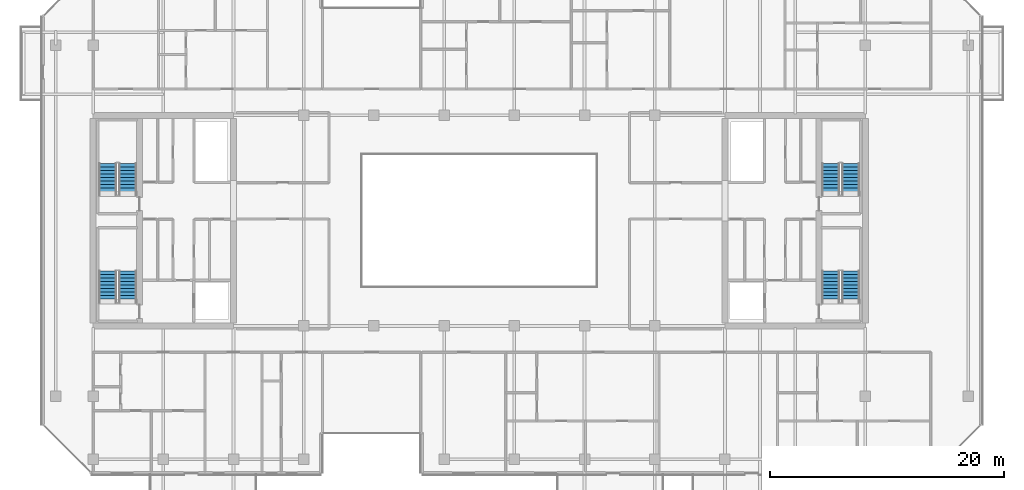
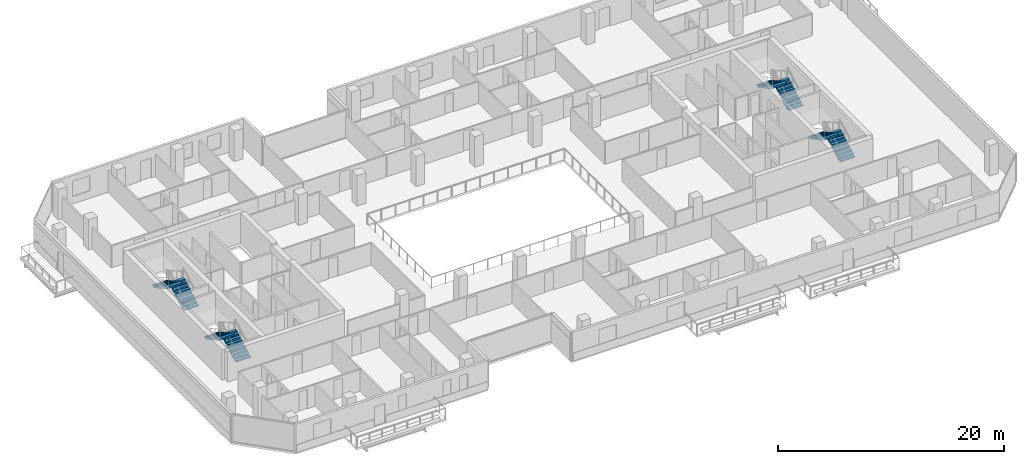
# One storey, part 25 of 29: 8 stair flights, 4 elements without a shape of their own.
"""IFC4 building model written with IfcOpenShell, lengths in metres."""

from ifc_helpers import new_model, si_unit, direction, frame, origin, place, context, subcontext, project, spatial, polyline, outline, extrude, material, type_object, element, aggregate, save


model = new_model("IFC4")

# Units and contexts
model_context = context("Model", 3, precision=1e-05, world=origin(), true_north=direction((0.0, 1.0)))
body_context = subcontext(model_context, "Body", "Model", "MODEL_VIEW")
ifc_project = project(units=[si_unit("LENGTHUNIT", "METRE"), si_unit("AREAUNIT", "SQUARE_METRE"), si_unit("VOLUMEUNIT", "CUBIC_METRE"), si_unit("PLANEANGLEUNIT", "RADIAN"), si_unit("MASSUNIT", "GRAM", prefix="KILO")], contexts=[model_context])

# Site, building, storey
site_placement = place(None, origin())
site = spatial("IfcSite", under=ifc_project, at=site_placement, CompositionType="ELEMENT")
building_placement = place(site_placement, origin())
building = spatial("IfcBuilding", under=site, at=building_placement, Name="Tanjung Sevakor Pilgrim Tower", CompositionType="ELEMENT")
storey_placement = place(building_placement, frame((0.0, 0.0, 151.800048828125)))
storey = spatial("IfcBuildingStorey", under=building, at=storey_placement, Name="L42", CompositionType="ELEMENT", Elevation=151.800048828125)

# Stair, stair flights
ifc_material_1 = material(Name="Concrete C40/50", Category="concrete")
stair_type = type_object("IfcStairType", Name="STAIR-ST-CR150", PredefinedType="HALF_TURN_STAIR", material=ifc_material_1)
stair_1_placement = place(storey_placement, origin())
stair_1 = element("IfcStair", 1, at=stair_1_placement, inside=storey, type_object=stair_type, Name="L42 West Core Exit Stair 1", PredefinedType="HALF_TURN_STAIR")
ifc_material_2 = material(Name="Concrete C40/50", Category="concrete")
stair_flight_type = type_object("IfcStairFlightType", Name="FLIGHT-ST-CR150", PredefinedType="STRAIGHT", material=ifc_material_2)
stair_flight_1_placement = place(storey_placement, frame((26.949951171875, 26.60009765625, 0.0), z_axis=(0.0, 0.0, 1.0), x_axis=(0.0, 1.0, 0.0)))
stair_flight_1 = element("IfcStairFlight", 2, at=stair_flight_1_placement, type_object=stair_flight_type, Name="TS-W1 flight 1", NumberOfRisers=10, NumberOfTreads=9, PredefinedType="STRAIGHT", RiserHeight=0.165, TreadLength=0.3, context=body_context, shape_type="SweptSolid", body=[
    extrude(outline(polyline([(0.0, 0.0), (0.0, 0.1650390625), (0.300048828125, 0.1650390625), (0.300048828125, 0.330078125), (0.60009765625, 0.330078125), (0.60009765625, 0.4951171875), (0.89990234375, 0.4951171875), (0.89990234375, 0.659912109375), (1.199951171875, 0.659912109375), (1.199951171875, 0.824951171875), (1.5, 0.824951171875), (1.5, 0.989990234375), (1.800048828125, 0.989990234375), (1.800048828125, 1.155029296875), (2.10009765625, 1.155029296875), (2.10009765625, 1.320068359375), (2.39990234375, 1.320068359375), (2.39990234375, 1.485107421875), (2.699951171875, 1.485107421875), (2.699951171875, 1.64990234375), (2.699951171875, 1.302490234375), (0.331787109375, 0.0), (0.0, 0.0)])), frame((0.0, 0.75, 0.0), z_axis=(0.0, -1.0, 0.0), x_axis=(1.0, 0.0, 0.0)), (0.0, 0.0, 1.0), 1.5),
])
stair_flight_2_placement = place(storey_placement, frame((25.25, 29.300048828125, 1.64990234375), z_axis=(0.0, 0.0, 1.0), x_axis=(0.0, -1.0, 0.0)))
stair_flight_2 = element("IfcStairFlight", 3, at=stair_flight_2_placement, type_object=stair_flight_type, Name="TS-W1 flight 2", NumberOfRisers=10, NumberOfTreads=9, PredefinedType="STRAIGHT", RiserHeight=0.165, TreadLength=0.3, context=body_context, shape_type="SweptSolid", body=[
    extrude(outline(polyline([(0.0, 0.0), (0.0, 0.1650390625), (0.300048828125, 0.1650390625), (0.300048828125, 0.330078125), (0.60009765625, 0.330078125), (0.60009765625, 0.4951171875), (0.89990234375, 0.4951171875), (0.89990234375, 0.659912109375), (1.199951171875, 0.659912109375), (1.199951171875, 0.824951171875), (1.5, 0.824951171875), (1.5, 0.989990234375), (1.800048828125, 0.989990234375), (1.800048828125, 1.155029296875), (2.10009765625, 1.155029296875), (2.10009765625, 1.320068359375), (2.39990234375, 1.320068359375), (2.39990234375, 1.485107421875), (2.699951171875, 1.485107421875), (2.699951171875, 1.64990234375), (2.699951171875, 1.302490234375), (0.331787109375, 0.0), (0.0, 0.0)])), frame((0.0, 0.75, 0.0), z_axis=(0.0, -1.0, 0.0), x_axis=(1.0, 0.0, 0.0)), (0.0, 0.0, 1.0), 1.5),
])
aggregate(stair_1, [stair_flight_1, stair_flight_2])

stair_2_placement = place(storey_placement, origin())
stair_2 = element("IfcStair", 4, at=stair_2_placement, inside=storey, type_object=stair_type, Name="L42 West Core Exit Stair 2", PredefinedType="HALF_TURN_STAIR")
stair_flight_3_placement = place(storey_placement, frame((26.949951171875, 35.800048828125, 0.0), z_axis=(0.0, 0.0, 1.0), x_axis=(0.0, 1.0, 0.0)))
stair_flight_3 = element("IfcStairFlight", 5, at=stair_flight_3_placement, type_object=stair_flight_type, Name="TS-W2 flight 1", NumberOfRisers=10, NumberOfTreads=9, PredefinedType="STRAIGHT", RiserHeight=0.165, TreadLength=0.3, context=body_context, shape_type="SweptSolid", body=[
    extrude(outline(polyline([(0.0, 0.0), (0.0, 0.1650390625), (0.300048828125, 0.1650390625), (0.300048828125, 0.330078125), (0.60009765625, 0.330078125), (0.60009765625, 0.4951171875), (0.89990234375, 0.4951171875), (0.89990234375, 0.659912109375), (1.199951171875, 0.659912109375), (1.199951171875, 0.824951171875), (1.5, 0.824951171875), (1.5, 0.989990234375), (1.800048828125, 0.989990234375), (1.800048828125, 1.155029296875), (2.10009765625, 1.155029296875), (2.10009765625, 1.320068359375), (2.39990234375, 1.320068359375), (2.39990234375, 1.485107421875), (2.699951171875, 1.485107421875), (2.699951171875, 1.64990234375), (2.699951171875, 1.302490234375), (0.331787109375, 0.0), (0.0, 0.0)])), frame((0.0, 0.75, 0.0), z_axis=(0.0, -1.0, 0.0), x_axis=(1.0, 0.0, 0.0)), (0.0, 0.0, 1.0), 1.5),
])
stair_flight_4_placement = place(storey_placement, frame((25.25, 38.5, 1.64990234375), z_axis=(0.0, 0.0, 1.0), x_axis=(0.0, -1.0, 0.0)))
stair_flight_4 = element("IfcStairFlight", 6, at=stair_flight_4_placement, type_object=stair_flight_type, Name="TS-W2 flight 2", NumberOfRisers=10, NumberOfTreads=9, PredefinedType="STRAIGHT", RiserHeight=0.165, TreadLength=0.3, context=body_context, shape_type="SweptSolid", body=[
    extrude(outline(polyline([(0.0, 0.0), (0.0, 0.1650390625), (0.300048828125, 0.1650390625), (0.300048828125, 0.330078125), (0.60009765625, 0.330078125), (0.60009765625, 0.4951171875), (0.89990234375, 0.4951171875), (0.89990234375, 0.659912109375), (1.199951171875, 0.659912109375), (1.199951171875, 0.824951171875), (1.5, 0.824951171875), (1.5, 0.989990234375), (1.800048828125, 0.989990234375), (1.800048828125, 1.155029296875), (2.10009765625, 1.155029296875), (2.10009765625, 1.320068359375), (2.39990234375, 1.320068359375), (2.39990234375, 1.485107421875), (2.699951171875, 1.485107421875), (2.699951171875, 1.64990234375), (2.699951171875, 1.302490234375), (0.331787109375, 0.0), (0.0, 0.0)])), frame((0.0, 0.75, 0.0), z_axis=(0.0, -1.0, 0.0), x_axis=(1.0, 0.0, 0.0)), (0.0, 0.0, 1.0), 1.5),
])
aggregate(stair_2, [stair_flight_3, stair_flight_4])

stair_3_placement = place(storey_placement, origin())
stair_3 = element("IfcStair", 7, at=stair_3_placement, inside=storey, type_object=stair_type, Name="L42 East Core Exit Stair 1", PredefinedType="HALF_TURN_STAIR")
stair_flight_5_placement = place(storey_placement, frame((88.75, 26.60009765625, 0.0), z_axis=(0.0, 0.0, 1.0), x_axis=(0.0, 1.0, 0.0)))
stair_flight_5 = element("IfcStairFlight", 8, at=stair_flight_5_placement, type_object=stair_flight_type, Name="TS-E1 flight 1", NumberOfRisers=10, NumberOfTreads=9, PredefinedType="STRAIGHT", RiserHeight=0.165, TreadLength=0.3, context=body_context, shape_type="SweptSolid", body=[
    extrude(outline(polyline([(0.0, 0.0), (0.0, 0.1650390625), (0.300048828125, 0.1650390625), (0.300048828125, 0.330078125), (0.60009765625, 0.330078125), (0.60009765625, 0.4951171875), (0.89990234375, 0.4951171875), (0.89990234375, 0.659912109375), (1.199951171875, 0.659912109375), (1.199951171875, 0.824951171875), (1.5, 0.824951171875), (1.5, 0.989990234375), (1.800048828125, 0.989990234375), (1.800048828125, 1.155029296875), (2.10009765625, 1.155029296875), (2.10009765625, 1.320068359375), (2.39990234375, 1.320068359375), (2.39990234375, 1.485107421875), (2.699951171875, 1.485107421875), (2.699951171875, 1.64990234375), (2.699951171875, 1.302490234375), (0.331787109375, 0.0), (0.0, 0.0)])), frame((0.0, 0.75, 0.0), z_axis=(0.0, -1.0, 0.0), x_axis=(1.0, 0.0, 0.0)), (0.0, 0.0, 1.0), 1.5),
])
stair_flight_6_placement = place(storey_placement, frame((87.050048828125, 29.300048828125, 1.64990234375), z_axis=(0.0, 0.0, 1.0), x_axis=(0.0, -1.0, 0.0)))
stair_flight_6 = element("IfcStairFlight", 9, at=stair_flight_6_placement, type_object=stair_flight_type, Name="TS-E1 flight 2", NumberOfRisers=10, NumberOfTreads=9, PredefinedType="STRAIGHT", RiserHeight=0.165, TreadLength=0.3, context=body_context, shape_type="SweptSolid", body=[
    extrude(outline(polyline([(0.0, 0.0), (0.0, 0.1650390625), (0.300048828125, 0.1650390625), (0.300048828125, 0.330078125), (0.60009765625, 0.330078125), (0.60009765625, 0.4951171875), (0.89990234375, 0.4951171875), (0.89990234375, 0.659912109375), (1.199951171875, 0.659912109375), (1.199951171875, 0.824951171875), (1.5, 0.824951171875), (1.5, 0.989990234375), (1.800048828125, 0.989990234375), (1.800048828125, 1.155029296875), (2.10009765625, 1.155029296875), (2.10009765625, 1.320068359375), (2.39990234375, 1.320068359375), (2.39990234375, 1.485107421875), (2.699951171875, 1.485107421875), (2.699951171875, 1.64990234375), (2.699951171875, 1.302490234375), (0.331787109375, 0.0), (0.0, 0.0)])), frame((0.0, 0.75, 0.0), z_axis=(0.0, -1.0, 0.0), x_axis=(1.0, 0.0, 0.0)), (0.0, 0.0, 1.0), 1.5),
])
aggregate(stair_3, [stair_flight_5, stair_flight_6])

stair_4_placement = place(storey_placement, origin())
stair_4 = element("IfcStair", 10, at=stair_4_placement, inside=storey, type_object=stair_type, Name="L42 East Core Exit Stair 2", PredefinedType="HALF_TURN_STAIR")
stair_flight_7_placement = place(storey_placement, frame((88.75, 35.800048828125, 0.0), z_axis=(0.0, 0.0, 1.0), x_axis=(0.0, 1.0, 0.0)))
stair_flight_7 = element("IfcStairFlight", 11, at=stair_flight_7_placement, type_object=stair_flight_type, Name="TS-E2 flight 1", NumberOfRisers=10, NumberOfTreads=9, PredefinedType="STRAIGHT", RiserHeight=0.165, TreadLength=0.3, context=body_context, shape_type="SweptSolid", body=[
    extrude(outline(polyline([(0.0, 0.0), (0.0, 0.1650390625), (0.300048828125, 0.1650390625), (0.300048828125, 0.330078125), (0.60009765625, 0.330078125), (0.60009765625, 0.4951171875), (0.89990234375, 0.4951171875), (0.89990234375, 0.659912109375), (1.199951171875, 0.659912109375), (1.199951171875, 0.824951171875), (1.5, 0.824951171875), (1.5, 0.989990234375), (1.800048828125, 0.989990234375), (1.800048828125, 1.155029296875), (2.10009765625, 1.155029296875), (2.10009765625, 1.320068359375), (2.39990234375, 1.320068359375), (2.39990234375, 1.485107421875), (2.699951171875, 1.485107421875), (2.699951171875, 1.64990234375), (2.699951171875, 1.302490234375), (0.331787109375, 0.0), (0.0, 0.0)])), frame((0.0, 0.75, 0.0), z_axis=(0.0, -1.0, 0.0), x_axis=(1.0, 0.0, 0.0)), (0.0, 0.0, 1.0), 1.5),
])
stair_flight_8_placement = place(storey_placement, frame((87.050048828125, 38.5, 1.64990234375), z_axis=(0.0, 0.0, 1.0), x_axis=(0.0, -1.0, 0.0)))
stair_flight_8 = element("IfcStairFlight", 12, at=stair_flight_8_placement, type_object=stair_flight_type, Name="TS-E2 flight 2", NumberOfRisers=10, NumberOfTreads=9, PredefinedType="STRAIGHT", RiserHeight=0.165, TreadLength=0.3, context=body_context, shape_type="SweptSolid", body=[
    extrude(outline(polyline([(0.0, 0.0), (0.0, 0.1650390625), (0.300048828125, 0.1650390625), (0.300048828125, 0.330078125), (0.60009765625, 0.330078125), (0.60009765625, 0.4951171875), (0.89990234375, 0.4951171875), (0.89990234375, 0.659912109375), (1.199951171875, 0.659912109375), (1.199951171875, 0.824951171875), (1.5, 0.824951171875), (1.5, 0.989990234375), (1.800048828125, 0.989990234375), (1.800048828125, 1.155029296875), (2.10009765625, 1.155029296875), (2.10009765625, 1.320068359375), (2.39990234375, 1.320068359375), (2.39990234375, 1.485107421875), (2.699951171875, 1.485107421875), (2.699951171875, 1.64990234375), (2.699951171875, 1.302490234375), (0.331787109375, 0.0), (0.0, 0.0)])), frame((0.0, 0.75, 0.0), z_axis=(0.0, -1.0, 0.0), x_axis=(1.0, 0.0, 0.0)), (0.0, 0.0, 1.0), 1.5),
])
aggregate(stair_4, [stair_flight_7, stair_flight_8])

save(model, "model.ifc")
